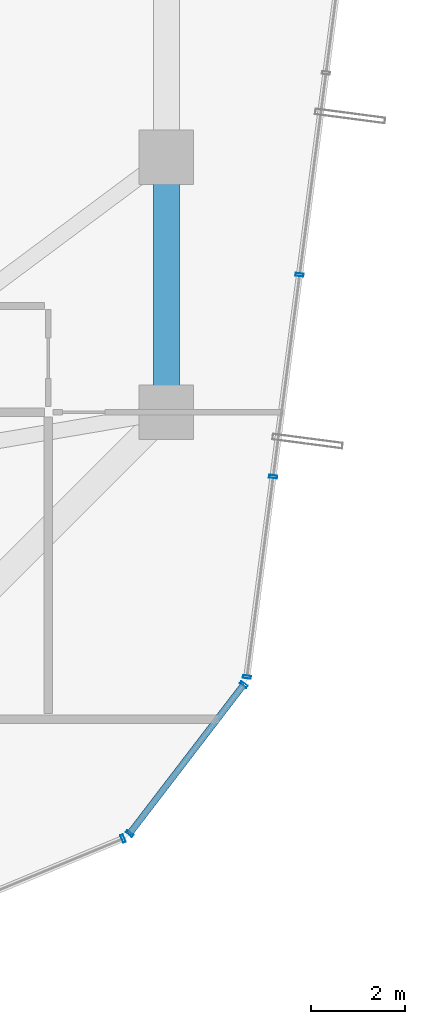
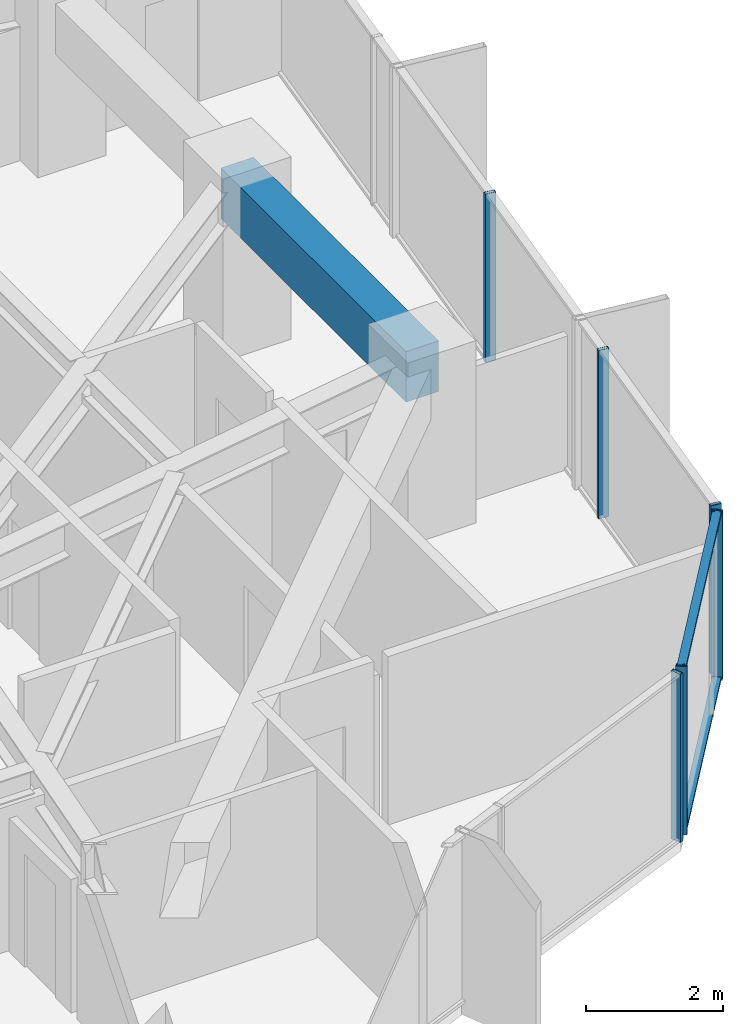
# One storey, part 14 of 30: 8 members, 1 beam, 3 elements without a shape of their own.
"""IFC4 building model written with IfcOpenShell, lengths in metres."""

from ifc_helpers import new_model, si_unit, direction, frame, origin, origin_2d, place, context, subcontext, project, spatial, rectangle, hollow_rectangle, extrude, source, transform, mapped, material, layer, layer_set, material_profile, profile_set, type_object, element, aggregate, save


model = new_model("IFC4")

# Units and contexts
model_context = context("Model", 3, precision=1e-05, world=origin(), true_north=direction((0.0, 1.0)))
body_context = subcontext(model_context, "Body", "Model", "MODEL_VIEW")
ifc_project = project(units=[si_unit("LENGTHUNIT", "METRE"), si_unit("AREAUNIT", "SQUARE_METRE"), si_unit("VOLUMEUNIT", "CUBIC_METRE"), si_unit("PLANEANGLEUNIT", "RADIAN"), si_unit("MASSUNIT", "GRAM", prefix="KILO")], contexts=[model_context])

# Site, building, storey
site_placement = place(None, origin())
site = spatial("IfcSite", under=ifc_project, at=site_placement, CompositionType="ELEMENT")
building_placement = place(site_placement, origin())
building = spatial("IfcBuilding", under=site, at=building_placement, Name="Veraguas Prism Commons", CompositionType="ELEMENT")
storey_placement = place(building_placement, frame((0.0, 0.0, 102.449951171875)))
storey = spatial("IfcBuildingStorey", under=building, at=storey_placement, Name="L28", CompositionType="ELEMENT", Elevation=102.449951171875)

# Beam
ifc_material_1 = material(Name="Concrete C50/60", Category="concrete")
ifc_material_profile_1 = material_profile(ifc_material_1, rectangle(XDim=0.550048828125, YDim=0.89990234375, at=origin_2d()), Name="RC550X900")
ifc_profile_set_1 = profile_set([ifc_material_profile_1], Name="Concrete C50/60")
beam_type = type_object("IfcBeamType", Name="Perimeter Spandrel Lower RC 550x900", PredefinedType="SPANDREL", material=ifc_profile_set_1)
beam_placement = place(storey_placement, frame((40.199951171875, 18.60009765625, 2.550048828125), z_axis=(0.0, 1.0, 0.0), x_axis=(-1.0, 0.0, 0.0)))
element("IfcBeam", 1, at=beam_placement, inside=storey, type_object=beam_type, Name="Perimeter Spandrel Beam L28-SP01", PredefinedType="SPANDREL", context=body_context, shape_type="SweptSolid", body=[
    extrude(rectangle(XDim=0.550048828125, YDim=0.89990234375, at=origin_2d()), origin(), (0.0, 0.0, 1.0), 5.39990234375),
])

# Curtain wall, member
ifc_material_2 = material(Name="Anodised aluminium EN AW-6063 T6", Category="aluminium")
ifc_layer = layer(ifc_material_2, 0.169921875, Name="Unitised Flush Curtain Wall Zone 2", Category="aluminium")
ifc_layer_set = layer_set([ifc_layer], Name="Anodised aluminium EN AW-6063 T6")
curtain_wall_type = type_object("IfcCurtainWallType", Name="Unitised Flush Curtain Wall Zone 2", PredefinedType="NOTDEFINED", material=ifc_layer_set)
curtain_wall_1_placement = place(storey_placement, origin())
curtain_wall_1 = element("IfcCurtainWall", 2, at=curtain_wall_1_placement, inside=storey, type_object=curtain_wall_type, Name="Tower Facade Curtain Wall L28-F5", PredefinedType="NOTDEFINED")
ifc_material_profile_2 = material_profile(ifc_material_2, hollow_rectangle(XDim=0.06005859375, YDim=0.169921875, WallThickness=0.00390625, at=origin_2d()), Name="AL60X170X4")
ifc_profile_set_2 = profile_set([ifc_material_profile_2], Name="Anodised aluminium EN AW-6063 T6")
member_type_1 = type_object("IfcMemberType", Name="Curtain Wall Mullion Lower AL 60x170x4", PredefinedType="MULLION", material=ifc_profile_set_2)
shared_shape_1 = source(origin(), body_context, "Body", "SweptSolid", [
    extrude(hollow_rectangle(XDim=0.06005859375, YDim=0.169921875, WallThickness=0.00390625, at=origin_2d()), origin(), (0.0, 0.0, 1.0), 3.0),
])
member_1_placement = place(storey_placement, frame((39.284423828125, 9.57470703125, 0.0), z_axis=(0.0, 0.0, 1.0), x_axis=(0.92361080588, 0.383331552657, 0.0)))
member_1 = element("IfcMember", 3, at=member_1_placement, type_object=member_type_1, Name="CW-Z2 Mullion 5", PredefinedType="MULLION", context=body_context, shape_type="MappedRepresentation", body=[
    mapped(shared_shape_1, transform((0.0, 0.0, 0.0), scale=1.0)),
])
aggregate(curtain_wall_1, [member_1])

# Curtain wall, members
curtain_wall_2_placement = place(storey_placement, origin())
curtain_wall_2 = element("IfcCurtainWall", 4, at=curtain_wall_2_placement, inside=storey, type_object=curtain_wall_type, Name="Tower Facade Curtain Wall L28-F6", PredefinedType="NOTDEFINED")
member_2_placement = place(storey_placement, frame((41.9052734375, 12.994873046875, 0.0), z_axis=(0.0, 0.0, 1.0), x_axis=(0.129834001381, 0.99153574423, 0.0)))
member_2 = element("IfcMember", 5, at=member_2_placement, type_object=member_type_1, Name="CW-Z2 Mullion 1", PredefinedType="MULLION", context=body_context, shape_type="MappedRepresentation", body=[
    mapped(shared_shape_1, transform((0.0, 0.0, 0.0), scale=1.0)),
])
member_3_placement = place(storey_placement, frame((42.460693359375, 17.2373046875, 0.0), z_axis=(0.0, 0.0, 1.0), x_axis=(0.129834001381, 0.99153574423, 0.0)))
member_3 = element("IfcMember", 6, at=member_3_placement, type_object=member_type_1, Name="CW-Z2 Mullion 2", PredefinedType="MULLION", context=body_context, shape_type="MappedRepresentation", body=[
    mapped(shared_shape_1, transform((0.0, 0.0, 0.0), scale=1.0)),
])
member_4_placement = place(storey_placement, frame((43.02001953125, 21.509521484375, 0.0), z_axis=(0.0, 0.0, 1.0), x_axis=(0.129834001381, 0.99153574423, 0.0)))
member_4 = element("IfcMember", 7, at=member_4_placement, type_object=member_type_1, Name="CW-Z2 Mullion 3", PredefinedType="MULLION", context=body_context, shape_type="MappedRepresentation", body=[
    mapped(shared_shape_1, transform((0.0, 0.0, 0.0), scale=1.0)),
])
aggregate(curtain_wall_2, [member_2, member_3, member_4])

curtain_wall_3_placement = place(storey_placement, origin())
curtain_wall_3 = element("IfcCurtainWall", 8, at=curtain_wall_3_placement, inside=storey, type_object=curtain_wall_type, Name="Chamfer Curtain Wall L28-C6", PredefinedType="NOTDEFINED")
member_5_placement = place(storey_placement, frame((39.42236328125, 9.680419921875, 0.0), z_axis=(0.0, 0.0, 1.0), x_axis=(0.60821157179, 0.793774957996, 0.0)))
member_5 = element("IfcMember", 9, at=member_5_placement, type_object=member_type_1, Name="CW-Z2 Mullion 1", PredefinedType="MULLION", context=body_context, shape_type="MappedRepresentation", body=[
    mapped(shared_shape_1, transform((0.0, 0.0, 0.0), scale=1.0)),
])
member_6_placement = place(storey_placement, frame((41.8388671875, 12.834228515625, 0.0), z_axis=(0.0, 0.0, 1.0), x_axis=(0.60821157179, 0.793774957996, 0.0)))
member_6 = element("IfcMember", 10, at=member_6_placement, type_object=member_type_1, Name="CW-Z2 Mullion 2", PredefinedType="MULLION", context=body_context, shape_type="MappedRepresentation", body=[
    mapped(shared_shape_1, transform((0.0, 0.0, 0.0), scale=1.0)),
])
ifc_material_profile_3 = material_profile(ifc_material_2, hollow_rectangle(XDim=0.054931640625, YDim=0.135009765625, WallThickness=0.0029296875, at=origin_2d()), Name="AL55X135X3")
ifc_profile_set_3 = profile_set([ifc_material_profile_3], Name="Anodised aluminium EN AW-6063 T6")
member_type_2 = type_object("IfcMemberType", Name="Curtain Wall Transom Standard AL 55x135x3", PredefinedType="USERDEFINED", material=ifc_profile_set_3)
shared_shape_2 = source(origin(), body_context, "Body", "SweptSolid", [
    extrude(hollow_rectangle(XDim=0.054931640625, YDim=0.135009765625, WallThickness=0.0029296875, at=origin_2d()), origin(), (0.0, 0.0, 1.0), 3.97314453125),
])
member_7_placement = place(storey_placement, frame((39.42236328125, 9.680419921875, 0.027587890625), z_axis=(0.608207057604, 0.793778416865, 0.0), x_axis=(0.0, 0.0, 1.0)))
member_7 = element("IfcMember", 11, at=member_7_placement, type_object=member_type_2, Name="CW-Z2 Transom 1", ObjectType="TRANSOM", PredefinedType="USERDEFINED", context=body_context, shape_type="MappedRepresentation", body=[
    mapped(shared_shape_2, transform((0.0, 0.0, 0.0), scale=1.0)),
])
member_8_placement = place(storey_placement, frame((39.42236328125, 9.680419921875, 2.97265625), z_axis=(0.608207057604, 0.793778416865, 0.0), x_axis=(0.0, 0.0, 1.0)))
member_8 = element("IfcMember", 12, at=member_8_placement, type_object=member_type_2, Name="CW-Z2 Transom 2", ObjectType="TRANSOM", PredefinedType="USERDEFINED", context=body_context, shape_type="MappedRepresentation", body=[
    mapped(shared_shape_2, transform((0.0, 0.0, 0.0), scale=1.0)),
])
aggregate(curtain_wall_3, [member_5, member_6, member_7, member_8])

save(model, "model.ifc")
